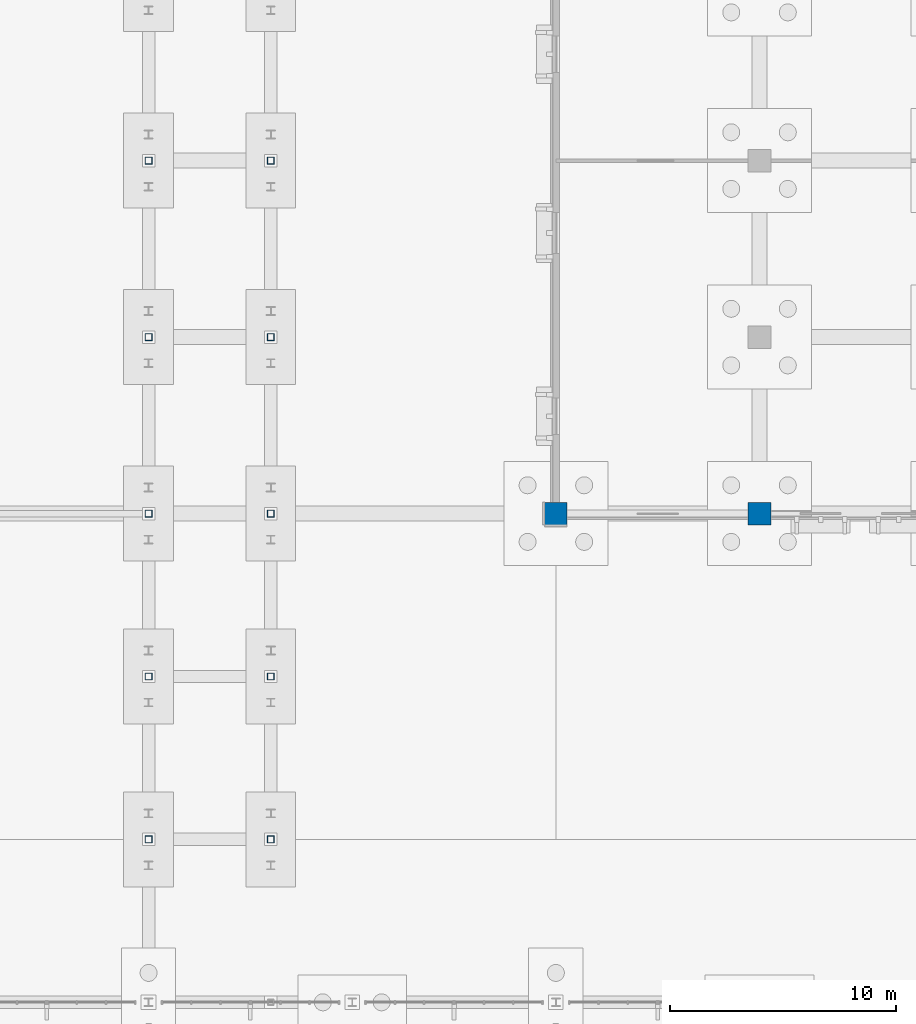
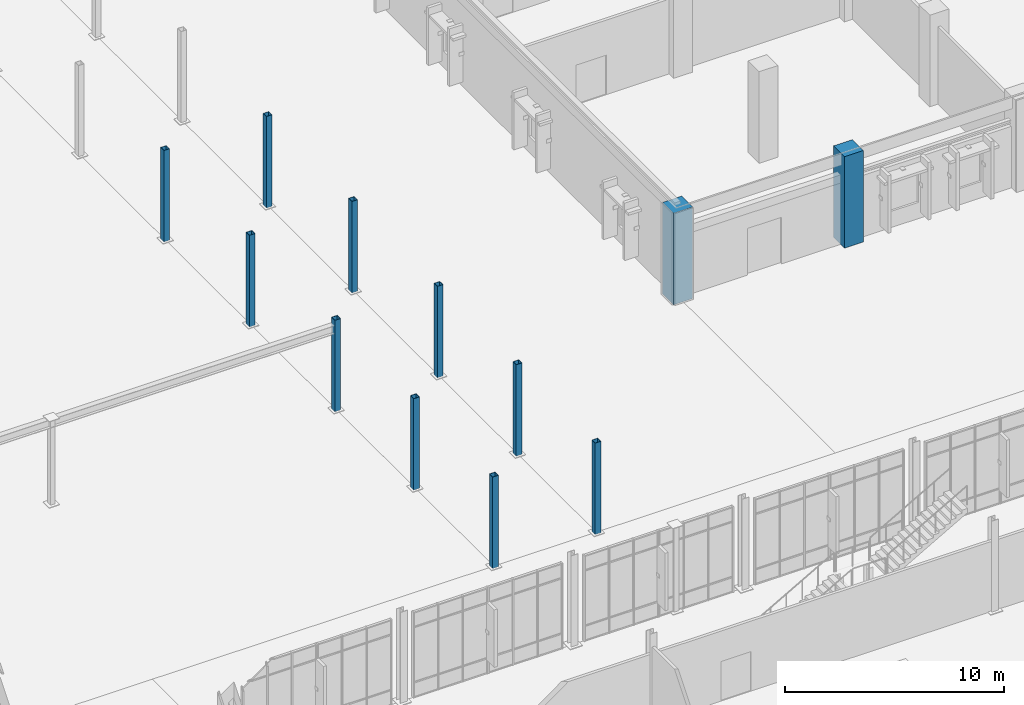
# One storey, part 23 of 94: 12 columns.
"""IFC4 building model written with IfcOpenShell, lengths in metres."""

from ifc_helpers import new_model, si_unit, direction, frame, origin, origin_2d, place, context, subcontext, project, spatial, rectangle, hollow_rectangle, extrude, material, material_profile, profile_set, type_object, element, save


model = new_model("IFC4")

# Units and contexts
model_context = context("Model", 3, precision=1e-05, world=origin(), true_north=direction((0.0, 1.0)))
body_context = subcontext(model_context, "Body", "Model", "MODEL_VIEW")
ifc_project = project(units=[si_unit("LENGTHUNIT", "METRE"), si_unit("AREAUNIT", "SQUARE_METRE"), si_unit("VOLUMEUNIT", "CUBIC_METRE"), si_unit("PLANEANGLEUNIT", "RADIAN"), si_unit("MASSUNIT", "GRAM", prefix="KILO")], contexts=[model_context])

# Site, building, storey
site_placement = place(None, origin())
site = spatial("IfcSite", under=ifc_project, at=site_placement, CompositionType="ELEMENT")
building_placement = place(site_placement, origin())
building = spatial("IfcBuilding", under=site, at=building_placement, Name="Vervanel Yard Central Library", CompositionType="ELEMENT")
storey_placement = place(building_placement, origin())
storey = spatial("IfcBuildingStorey", under=building, at=storey_placement, Name="L00", CompositionType="ELEMENT", Elevation=0.0)

# Columns
ifc_material_1 = material(Name="Steel ASTM A500 Grade C", Category="steel")
ifc_material_profile_1 = material_profile(ifc_material_1, hollow_rectangle(XDim=0.3046875, YDim=0.3046875, WallThickness=0.0146484375, at=origin_2d()), Name="HSS12X12X5/8", Category="steel")
ifc_profile_set_1 = profile_set([ifc_material_profile_1], Name="Steel ASTM A500 Grade C")
column_type_1 = type_object("IfcColumnType", Name="Bridge Pier Column HSS12X12X5/8", PredefinedType="COLUMN", material=ifc_profile_set_1)
for number, where, z_axis, x_axis, name in (
    (1, (72.0, 28.800048828125, 0.0), (0.0, 0.0, 1.0), (1.0, 0.0, 0.0), "L00 Bridge Pier Column HSS12X12X5/8 (72.0, 28.8)"),
    (2, (72.0, 36.0, 0.0), (0.0, 0.0, 1.0), (1.0, 0.0, 0.0), "L00 Bridge Pier Column HSS12X12X5/8 (72.0, 36.0)"),
    (3, (72.0, 43.199951171875, 0.0), (0.0, 0.0, 1.0), (1.0, 0.0, 0.0), "L00 Bridge Pier Column HSS12X12X5/8 (72.0, 43.2)"),
    (4, (72.0, 51.0, 0.0), (0.0, 0.0, 1.0), (1.0, 0.0, 0.0), "L00 Bridge Pier Column HSS12X12X5/8 (72.0, 51.0)"),
    (5, (72.0, 58.800048828125, 0.0), (0.0, 0.0, 1.0), (1.0, 0.0, 0.0), "L00 Bridge Pier Column HSS12X12X5/8 (72.0, 58.8)"),
    (6, (77.39990234375, 28.800048828125, 0.0), (0.0, 0.0, 1.0), (1.0, 0.0, 0.0), "L00 Bridge Pier Column HSS12X12X5/8 (77.4, 28.8)"),
    (7, (77.39990234375, 36.0, 0.0), (0.0, 0.0, 1.0), (1.0, 0.0, 0.0), "L00 Bridge Pier Column HSS12X12X5/8 (77.4, 36.0)"),
    (8, (77.39990234375, 43.199951171875, 0.0), (0.0, 0.0, 1.0), (1.0, 0.0, 0.0), "L00 Bridge Pier Column HSS12X12X5/8 (77.4, 43.2)"),
    (9, (77.39990234375, 51.0, 0.0), (0.0, 0.0, 1.0), (1.0, 0.0, 0.0), "L00 Bridge Pier Column HSS12X12X5/8 (77.4, 51.0)"),
    (10, (77.39990234375, 58.800048828125, 0.0), (0.0, 0.0, 1.0), (1.0, 0.0, 0.0), "L00 Bridge Pier Column HSS12X12X5/8 (77.4, 58.8)"),
):
    element("IfcColumn", number, at=place(storey_placement, frame(where, z_axis=z_axis, x_axis=x_axis)), inside=storey, type_object=column_type_1, Name=name, PredefinedType="COLUMN", context=body_context, shape_type="SweptSolid", body=[
        extrude(hollow_rectangle(XDim=0.3046875, YDim=0.3046875, WallThickness=0.0146484375, at=origin_2d()), origin(), (0.0, 0.0, 1.0), 5.10009765625),
    ])
ifc_material_2 = material(Name="Concrete C45/55", Category="concrete")
ifc_material_profile_2 = material_profile(ifc_material_2, rectangle(XDim=1.0, YDim=1.0, at=origin_2d()), Name="RC 1000x1000", Category="concrete")
ifc_profile_set_2 = profile_set([ifc_material_profile_2], Name="Concrete C45/55")
column_type_2 = type_object("IfcColumnType", Name="Concrete Column 1000x1000", PredefinedType="COLUMN", material=ifc_profile_set_2)
for number, where, z_axis, x_axis, name in (
    (11, (90.0, 43.199951171875, 0.0), (0.0, 0.0, 1.0), (1.0, 0.0, 0.0), "L00 Concrete Column 1000x1000 (90.0, 43.2)"),
    (12, (99.0, 43.199951171875, 0.0), (0.0, 0.0, 1.0), (1.0, 0.0, 0.0), "L00 Concrete Column 1000x1000 (99.0, 43.2)"),
):
    element("IfcColumn", number, at=place(storey_placement, frame(where, z_axis=z_axis, x_axis=x_axis)), inside=storey, type_object=column_type_2, Name=name, PredefinedType="COLUMN", context=body_context, shape_type="SweptSolid", body=[
        extrude(rectangle(XDim=1.0, YDim=1.0, at=origin_2d()), origin(), (0.0, 0.0, 1.0), 5.10009765625),
    ])

save(model, "model.ifc")
